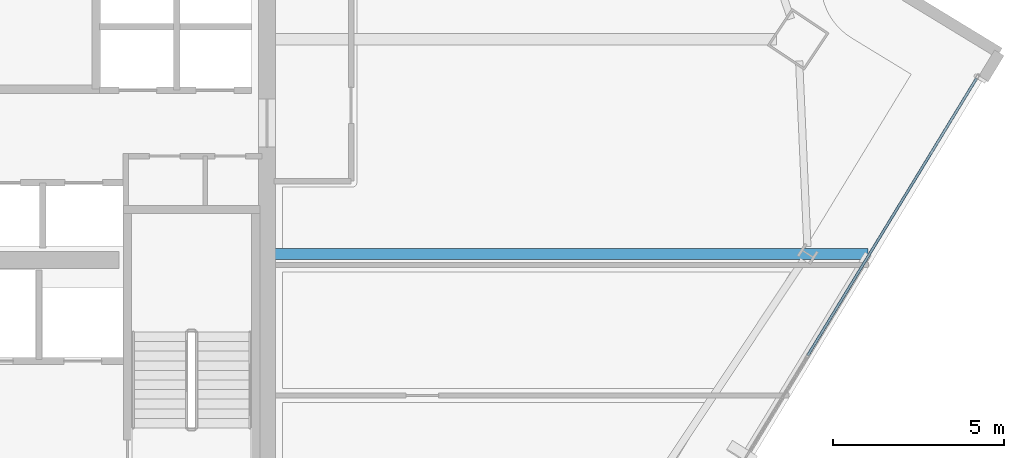
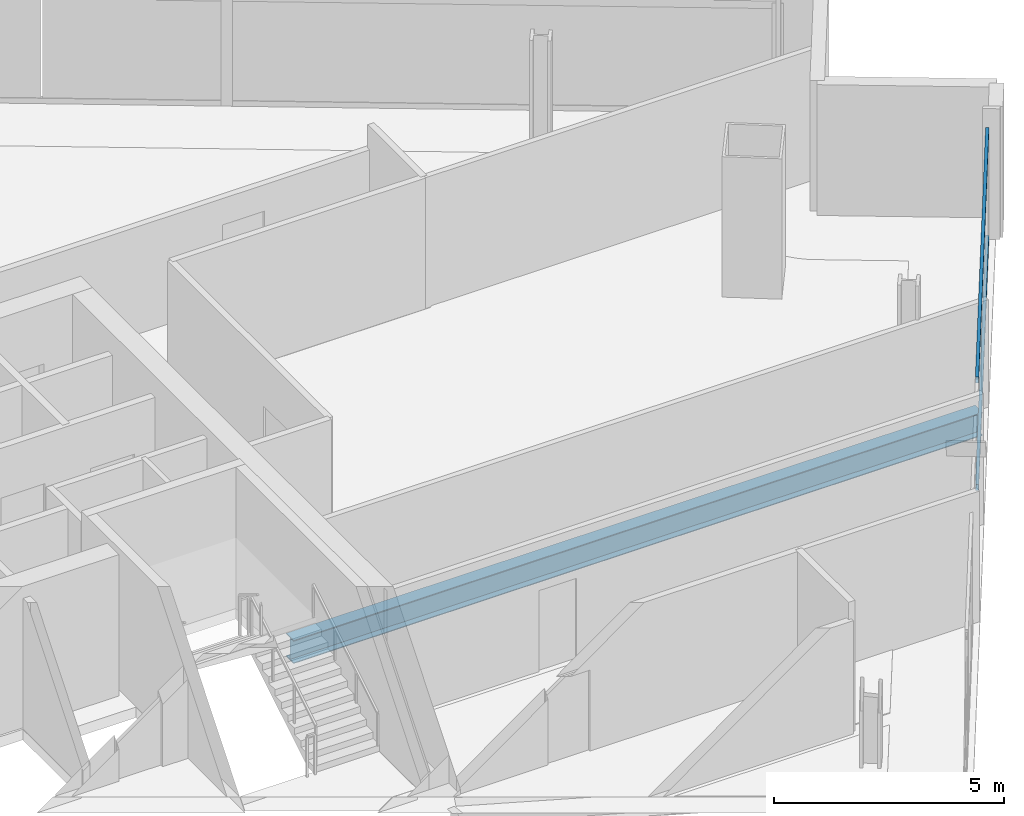
# One storey, part 12 of 28: 2 members, 1 beam, 1 element without a shape of its own.
"""IFC4 building model written with IfcOpenShell, lengths in metres."""

from ifc_helpers import new_model, si_unit, direction, frame, origin, origin_2d, place, context, subcontext, project, spatial, hollow_rectangle, i_section, extrude, material, material_profile, profile_set, type_object, element, aggregate, save


model = new_model("IFC4")

# Units and contexts
model_context = context("Model", 3, precision=1e-05, world=origin(), true_north=direction((0.0, 1.0)))
body_context = subcontext(model_context, "Body", "Model", "MODEL_VIEW")
ifc_project = project(units=[si_unit("LENGTHUNIT", "METRE"), si_unit("AREAUNIT", "SQUARE_METRE"), si_unit("VOLUMEUNIT", "CUBIC_METRE"), si_unit("PLANEANGLEUNIT", "RADIAN"), si_unit("MASSUNIT", "GRAM", prefix="KILO")], contexts=[model_context])

# Site, building, storey
site_placement = place(None, origin())
site = spatial("IfcSite", under=ifc_project, at=site_placement, CompositionType="ELEMENT")
building_placement = place(site_placement, origin())
building = spatial("IfcBuilding", under=site, at=building_placement, Name="Haldenkirk Collegiate Tower", CompositionType="ELEMENT")
storey_placement = place(building_placement, frame((0.0, 0.0, 224.699951171875)))
storey = spatial("IfcBuildingStorey", under=building, at=storey_placement, Name="L56", CompositionType="ELEMENT", Elevation=224.699951171875)

# Beam
ifc_material_1 = material(Name="Steel ASTM A992 Grade 50", Category="steel")
ifc_material_profile_1 = material_profile(ifc_material_1, i_section(OverallWidth=0.324951171875, OverallDepth=0.615966796875, WebThickness=0.013916015625, FlangeThickness=0.021484375, at=origin_2d()), Name="W24X117")
ifc_profile_set_1 = profile_set([ifc_material_profile_1], Name="Steel ASTM A992 Grade 50")
beam_type = type_object("IfcBeamType", Name="BM-GIRDER-W24X117", PredefinedType="BEAM", material=ifc_profile_set_1)
beam_placement = place(storey_placement, frame((62.522705078125, 25.12646484375, -0.587890625), z_axis=(-1.0, 0.0, 0.0), x_axis=(0.0, -1.0, 0.0)))
element("IfcBeam", 1, at=beam_placement, inside=storey, type_object=beam_type, Name="L56 primary floor girder 07", PredefinedType="BEAM", context=body_context, shape_type="SweptSolid", body=[
    extrude(i_section(OverallWidth=0.324951171875, OverallDepth=0.615966796875, WebThickness=0.013916015625, FlangeThickness=0.021484375, at=origin_2d()), origin(), (0.0, 0.0, 1.0), 17.292724609375),
])

# Curtain wall, members
ifc_material_2 = material(Name="Anodised architectural bronze aluminium", Category="aluminium")
curtain_wall_type = type_object("IfcCurtainWallType", Name="CW-SYS2-CONCAVE", PredefinedType="USERDEFINED", material=ifc_material_2)
curtain_wall_placement = place(storey_placement, origin())
curtain_wall = element("IfcCurtainWall", 2, at=curtain_wall_placement, inside=storey, type_object=curtain_wall_type, Name="L56 South concave recessed bronze-anodised curtain wall", ObjectType="UNITISED CURTAIN WALL", PredefinedType="USERDEFINED")
ifc_material_profile_2 = material_profile(ifc_material_2, hollow_rectangle(XDim=0.074951171875, YDim=0.159912109375, WallThickness=0.0048828125, at=origin_2d()), Name="CW-TRN-02")
ifc_profile_set_2 = profile_set([ifc_material_profile_2], Name="Anodised architectural bronze aluminium")
member_type = type_object("IfcMemberType", Name="CW-TRN-02", PredefinedType="USERDEFINED", material=ifc_profile_set_2)
member_1_placement = place(storey_placement, frame((65.690185546875, 30.24853515625, 0.03759765625), z_axis=(-0.520270218557, -0.854001697705, 0.0), x_axis=(0.854001697705, -0.520270218557, 0.0)))
member_1 = element("IfcMember", 3, at=member_1_placement, type_object=member_type, Name="CW-02 transom 1.1", ObjectType="TRANSOM", PredefinedType="USERDEFINED", context=body_context, shape_type="SweptSolid", body=[
    extrude(hollow_rectangle(XDim=0.074951171875, YDim=0.159912109375, WallThickness=0.0048828125, at=origin_2d()), origin(), (0.0, 0.0, 1.0), 9.462646484375),
])
member_2_placement = place(storey_placement, frame((65.690185546875, 30.24853515625, 2.890625), z_axis=(-0.520270218557, -0.854001697705, 0.0), x_axis=(0.854001697705, -0.520270218557, 0.0)))
member_2 = element("IfcMember", 4, at=member_2_placement, type_object=member_type, Name="CW-02 transom 1.2", ObjectType="TRANSOM", PredefinedType="USERDEFINED", context=body_context, shape_type="SweptSolid", body=[
    extrude(hollow_rectangle(XDim=0.074951171875, YDim=0.159912109375, WallThickness=0.0048828125, at=origin_2d()), origin(), (0.0, 0.0, 1.0), 9.462646484375),
])
aggregate(curtain_wall, [member_1, member_2])

save(model, "model.ifc")
